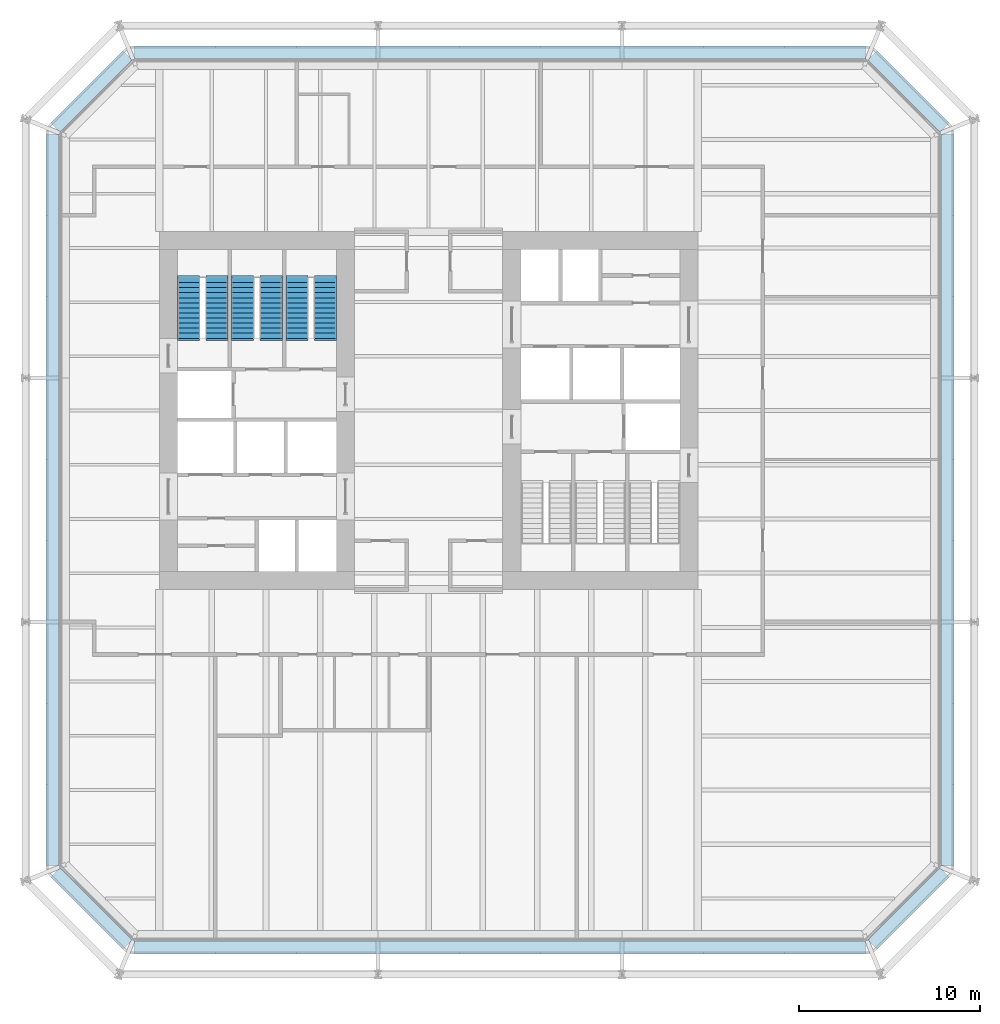
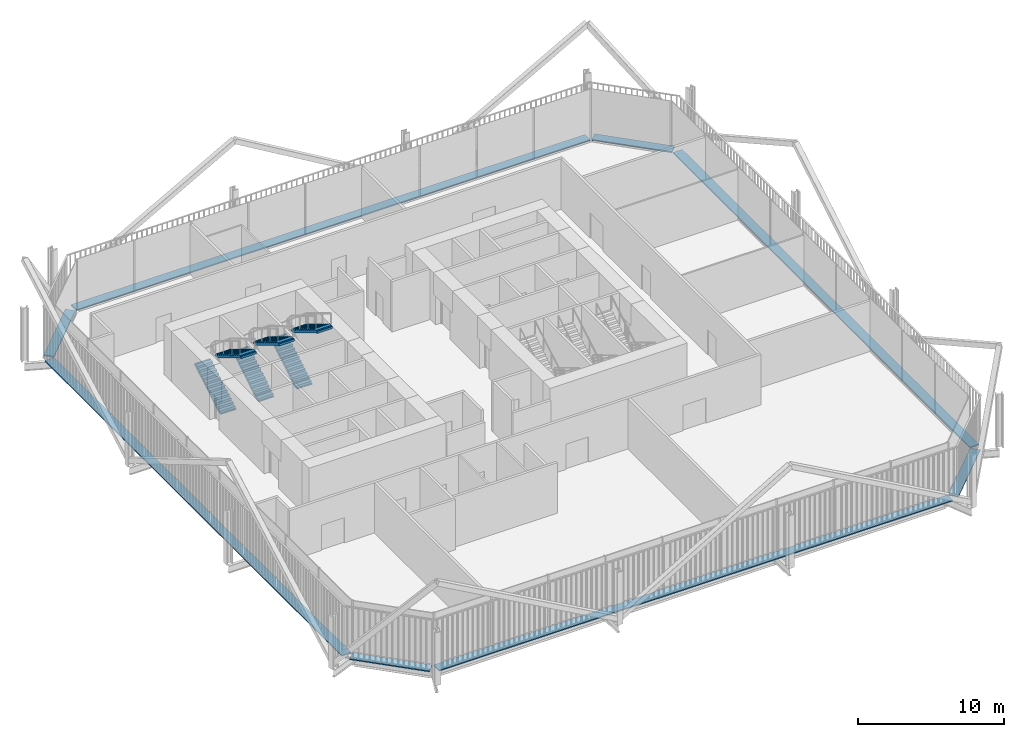
# One storey, part 20 of 21: 8 discrete accessories, 6 stair flights, 3 elements without a shape of their own.
"""IFC4 building model written with IfcOpenShell, lengths in metres."""

from ifc_helpers import new_model, si_unit, direction, frame, origin, origin_2d, place, context, subcontext, project, spatial, polyline, rectangle, outline, extrude, material, type_object, element, aggregate, save


model = new_model("IFC4")

# Units and contexts
model_context = context("Model", 3, precision=1e-05, world=origin(), true_north=direction((0.0, 1.0)))
body_context = subcontext(model_context, "Body", "Model", "MODEL_VIEW")
ifc_project = project(units=[si_unit("LENGTHUNIT", "METRE"), si_unit("AREAUNIT", "SQUARE_METRE"), si_unit("VOLUMEUNIT", "CUBIC_METRE"), si_unit("PLANEANGLEUNIT", "RADIAN"), si_unit("MASSUNIT", "GRAM", prefix="KILO")], contexts=[model_context])

# Site, building, storey
site_placement = place(None, origin())
site = spatial("IfcSite", under=ifc_project, at=site_placement, CompositionType="ELEMENT")
building_placement = place(site_placement, origin())
building = spatial("IfcBuilding", under=site, at=building_placement, Name="Millrace Tower", CompositionType="ELEMENT")
storey_placement = place(building_placement, frame((0.0, 0.0, 95.199951171875)))
storey = spatial("IfcBuildingStorey", under=building, at=storey_placement, Name="L21", CompositionType="ELEMENT", Elevation=95.199951171875)

# Stair, stair flights
ifc_material_1 = material(Name="Concrete C35", Category="concrete")
stair_type = type_object("IfcStairType", Name="Exit stair", PredefinedType="HALF_TURN_STAIR", material=ifc_material_1)
placement = place(storey_placement, origin())
stair_1 = element("IfcStair", 1, at=placement, inside=storey, type_object=stair_type, Name="Stair 1 W L21", PredefinedType="HALF_TURN_STAIR")
ifc_material_2 = material(Name="Concrete C35", Category="concrete")
stair_flight_type = type_object("IfcStairFlightType", Name="Exit stair flight", PredefinedType="STRAIGHT", material=ifc_material_2)
stair_flight_1_placement = place(storey_placement, frame((-13.2900390625, 4.0, 0.0), z_axis=(0.0, 0.0, 1.0), x_axis=(0.0, 1.0, 0.0)))
stair_flight_1 = element("IfcStairFlight", 2, at=stair_flight_1_placement, type_object=stair_flight_type, Name="ST12 flight 1", NumberOfRisers=13, NumberOfTreads=12, PredefinedType="STRAIGHT", RiserHeight=0.169230769, TreadLength=0.28, context=body_context, shape_type="SweptSolid", body=[
    extrude(outline(polyline([(-0.1201171875, -0.0400390625), (-0.1201171875, 0.0), (0.0, 0.0), (0.0, 0.169189453125), (0.280029296875, 0.169189453125), (0.280029296875, 0.33837890625), (0.56005859375, 0.33837890625), (0.56005859375, 0.5078125), (0.840087890625, 0.5078125), (0.840087890625, 0.677001953125), (1.1201171875, 0.677001953125), (1.1201171875, 0.84619140625), (1.39990234375, 0.84619140625), (1.39990234375, 1.015380859375), (1.679931640625, 1.015380859375), (1.679931640625, 1.1845703125), (1.9599609375, 1.1845703125), (1.9599609375, 1.353759765625), (2.239990234375, 1.353759765625), (2.239990234375, 1.523193359375), (2.52001953125, 1.523193359375), (2.52001953125, 1.6923828125), (2.800048828125, 1.6923828125), (2.800048828125, 1.861572265625), (3.080078125, 1.861572265625), (3.080078125, 2.03076171875), (3.360107421875, 2.03076171875), (3.360107421875, 2.05078125), (3.47998046875, 2.05078125), (3.47998046875, 1.855712890625), (3.360107421875, 1.855712890625), (0.289794921875, 0.0), (0.289794921875, -0.0400390625), (-0.1201171875, -0.0400390625)])), frame((0.0, 0.60986328125, 0.0), z_axis=(0.0, -1.0, 0.0), x_axis=(1.0, 0.0, 0.0)), (0.0, 0.0, 1.0), 1.219970703125),
])
stair_flight_2_placement = place(storey_placement, frame((-11.7099609375, 7.360107421875, 2.199951171875), z_axis=(0.0, 0.0, 1.0), x_axis=(0.0, -1.0, 0.0)))
stair_flight_2 = element("IfcStairFlight", 3, at=stair_flight_2_placement, type_object=stair_flight_type, Name="ST12 flight 2", NumberOfRisers=13, NumberOfTreads=12, PredefinedType="STRAIGHT", RiserHeight=0.169230769, TreadLength=0.28, context=body_context, shape_type="SweptSolid", body=[
    extrude(outline(polyline([(-0.1201171875, -0.0400390625), (-0.1201171875, 0.0), (0.0, 0.0), (0.0, 0.169189453125), (0.280029296875, 0.169189453125), (0.280029296875, 0.33837890625), (0.56005859375, 0.33837890625), (0.56005859375, 0.5078125), (0.840087890625, 0.5078125), (0.840087890625, 0.677001953125), (1.1201171875, 0.677001953125), (1.1201171875, 0.84619140625), (1.39990234375, 0.84619140625), (1.39990234375, 1.015380859375), (1.679931640625, 1.015380859375), (1.679931640625, 1.1845703125), (1.9599609375, 1.1845703125), (1.9599609375, 1.353759765625), (2.239990234375, 1.353759765625), (2.239990234375, 1.523193359375), (2.52001953125, 1.523193359375), (2.52001953125, 1.6923828125), (2.800048828125, 1.6923828125), (2.800048828125, 1.861572265625), (3.080078125, 1.861572265625), (3.080078125, 2.03076171875), (3.360107421875, 2.03076171875), (3.360107421875, 2.05078125), (3.47998046875, 2.05078125), (3.47998046875, 1.855712890625), (3.360107421875, 1.855712890625), (0.289794921875, 0.0), (0.289794921875, -0.0400390625), (-0.1201171875, -0.0400390625)])), frame((0.0, 0.60986328125, 0.0), z_axis=(0.0, -1.0, 0.0), x_axis=(1.0, 0.0, 0.0)), (0.0, 0.0, 1.0), 1.219970703125),
])
aggregate(stair_1, [stair_flight_1, stair_flight_2])

stair_2 = element("IfcStair", 4, at=placement, inside=storey, type_object=stair_type, Name="Stair 2 W L21", PredefinedType="HALF_TURN_STAIR")
stair_flight_3_placement = place(storey_placement, frame((-10.2900390625, 4.0, 0.0), z_axis=(0.0, 0.0, 1.0), x_axis=(0.0, 1.0, 0.0)))
stair_flight_3 = element("IfcStairFlight", 5, at=stair_flight_3_placement, type_object=stair_flight_type, Name="ST12 flight 1", NumberOfRisers=13, NumberOfTreads=12, PredefinedType="STRAIGHT", RiserHeight=0.169230769, TreadLength=0.28, context=body_context, shape_type="SweptSolid", body=[
    extrude(outline(polyline([(-0.1201171875, -0.0400390625), (-0.1201171875, 0.0), (0.0, 0.0), (0.0, 0.169189453125), (0.280029296875, 0.169189453125), (0.280029296875, 0.33837890625), (0.56005859375, 0.33837890625), (0.56005859375, 0.5078125), (0.840087890625, 0.5078125), (0.840087890625, 0.677001953125), (1.1201171875, 0.677001953125), (1.1201171875, 0.84619140625), (1.39990234375, 0.84619140625), (1.39990234375, 1.015380859375), (1.679931640625, 1.015380859375), (1.679931640625, 1.1845703125), (1.9599609375, 1.1845703125), (1.9599609375, 1.353759765625), (2.239990234375, 1.353759765625), (2.239990234375, 1.523193359375), (2.52001953125, 1.523193359375), (2.52001953125, 1.6923828125), (2.800048828125, 1.6923828125), (2.800048828125, 1.861572265625), (3.080078125, 1.861572265625), (3.080078125, 2.03076171875), (3.360107421875, 2.03076171875), (3.360107421875, 2.05078125), (3.47998046875, 2.05078125), (3.47998046875, 1.855712890625), (3.360107421875, 1.855712890625), (0.289794921875, 0.0), (0.289794921875, -0.0400390625), (-0.1201171875, -0.0400390625)])), frame((0.0, 0.60986328125, 0.0), z_axis=(0.0, -1.0, 0.0), x_axis=(1.0, 0.0, 0.0)), (0.0, 0.0, 1.0), 1.219970703125),
])
stair_flight_4_placement = place(storey_placement, frame((-8.7099609375, 7.360107421875, 2.199951171875), z_axis=(0.0, 0.0, 1.0), x_axis=(0.0, -1.0, 0.0)))
stair_flight_4 = element("IfcStairFlight", 6, at=stair_flight_4_placement, type_object=stair_flight_type, Name="ST12 flight 2", NumberOfRisers=13, NumberOfTreads=12, PredefinedType="STRAIGHT", RiserHeight=0.169230769, TreadLength=0.28, context=body_context, shape_type="SweptSolid", body=[
    extrude(outline(polyline([(-0.1201171875, -0.0400390625), (-0.1201171875, 0.0), (0.0, 0.0), (0.0, 0.169189453125), (0.280029296875, 0.169189453125), (0.280029296875, 0.33837890625), (0.56005859375, 0.33837890625), (0.56005859375, 0.5078125), (0.840087890625, 0.5078125), (0.840087890625, 0.677001953125), (1.1201171875, 0.677001953125), (1.1201171875, 0.84619140625), (1.39990234375, 0.84619140625), (1.39990234375, 1.015380859375), (1.679931640625, 1.015380859375), (1.679931640625, 1.1845703125), (1.9599609375, 1.1845703125), (1.9599609375, 1.353759765625), (2.239990234375, 1.353759765625), (2.239990234375, 1.523193359375), (2.52001953125, 1.523193359375), (2.52001953125, 1.6923828125), (2.800048828125, 1.6923828125), (2.800048828125, 1.861572265625), (3.080078125, 1.861572265625), (3.080078125, 2.03076171875), (3.360107421875, 2.03076171875), (3.360107421875, 2.05078125), (3.47998046875, 2.05078125), (3.47998046875, 1.855712890625), (3.360107421875, 1.855712890625), (0.289794921875, 0.0), (0.289794921875, -0.0400390625), (-0.1201171875, -0.0400390625)])), frame((0.0, 0.60986328125, 0.0), z_axis=(0.0, -1.0, 0.0), x_axis=(1.0, 0.0, 0.0)), (0.0, 0.0, 1.0), 1.219970703125),
])
aggregate(stair_2, [stair_flight_3, stair_flight_4])

stair_3 = element("IfcStair", 7, at=placement, inside=storey, type_object=stair_type, Name="Stair 3 W L21", PredefinedType="HALF_TURN_STAIR")
stair_flight_5_placement = place(storey_placement, frame((-7.2900390625, 4.0, 0.0), z_axis=(0.0, 0.0, 1.0), x_axis=(0.0, 1.0, 0.0)))
stair_flight_5 = element("IfcStairFlight", 8, at=stair_flight_5_placement, type_object=stair_flight_type, Name="ST12 flight 1", NumberOfRisers=13, NumberOfTreads=12, PredefinedType="STRAIGHT", RiserHeight=0.169230769, TreadLength=0.28, context=body_context, shape_type="SweptSolid", body=[
    extrude(outline(polyline([(-0.1201171875, -0.0400390625), (-0.1201171875, 0.0), (0.0, 0.0), (0.0, 0.169189453125), (0.280029296875, 0.169189453125), (0.280029296875, 0.33837890625), (0.56005859375, 0.33837890625), (0.56005859375, 0.5078125), (0.840087890625, 0.5078125), (0.840087890625, 0.677001953125), (1.1201171875, 0.677001953125), (1.1201171875, 0.84619140625), (1.39990234375, 0.84619140625), (1.39990234375, 1.015380859375), (1.679931640625, 1.015380859375), (1.679931640625, 1.1845703125), (1.9599609375, 1.1845703125), (1.9599609375, 1.353759765625), (2.239990234375, 1.353759765625), (2.239990234375, 1.523193359375), (2.52001953125, 1.523193359375), (2.52001953125, 1.6923828125), (2.800048828125, 1.6923828125), (2.800048828125, 1.861572265625), (3.080078125, 1.861572265625), (3.080078125, 2.03076171875), (3.360107421875, 2.03076171875), (3.360107421875, 2.05078125), (3.47998046875, 2.05078125), (3.47998046875, 1.855712890625), (3.360107421875, 1.855712890625), (0.289794921875, 0.0), (0.289794921875, -0.0400390625), (-0.1201171875, -0.0400390625)])), frame((0.0, 0.60986328125, 0.0), z_axis=(0.0, -1.0, 0.0), x_axis=(1.0, 0.0, 0.0)), (0.0, 0.0, 1.0), 1.219970703125),
])
stair_flight_6_placement = place(storey_placement, frame((-5.7099609375, 7.360107421875, 2.199951171875), z_axis=(0.0, 0.0, 1.0), x_axis=(0.0, -1.0, 0.0)))
stair_flight_6 = element("IfcStairFlight", 9, at=stair_flight_6_placement, type_object=stair_flight_type, Name="ST12 flight 2", NumberOfRisers=13, NumberOfTreads=12, PredefinedType="STRAIGHT", RiserHeight=0.169230769, TreadLength=0.28, context=body_context, shape_type="SweptSolid", body=[
    extrude(outline(polyline([(-0.1201171875, -0.0400390625), (-0.1201171875, 0.0), (0.0, 0.0), (0.0, 0.169189453125), (0.280029296875, 0.169189453125), (0.280029296875, 0.33837890625), (0.56005859375, 0.33837890625), (0.56005859375, 0.5078125), (0.840087890625, 0.5078125), (0.840087890625, 0.677001953125), (1.1201171875, 0.677001953125), (1.1201171875, 0.84619140625), (1.39990234375, 0.84619140625), (1.39990234375, 1.015380859375), (1.679931640625, 1.015380859375), (1.679931640625, 1.1845703125), (1.9599609375, 1.1845703125), (1.9599609375, 1.353759765625), (2.239990234375, 1.353759765625), (2.239990234375, 1.523193359375), (2.52001953125, 1.523193359375), (2.52001953125, 1.6923828125), (2.800048828125, 1.6923828125), (2.800048828125, 1.861572265625), (3.080078125, 1.861572265625), (3.080078125, 2.03076171875), (3.360107421875, 2.03076171875), (3.360107421875, 2.05078125), (3.47998046875, 2.05078125), (3.47998046875, 1.855712890625), (3.360107421875, 1.855712890625), (0.289794921875, 0.0), (0.289794921875, -0.0400390625), (-0.1201171875, -0.0400390625)])), frame((0.0, 0.60986328125, 0.0), z_axis=(0.0, -1.0, 0.0), x_axis=(1.0, 0.0, 0.0)), (0.0, 0.0, 1.0), 1.219970703125),
])
aggregate(stair_3, [stair_flight_5, stair_flight_6])

# Discrete accessories
ifc_material_3 = material(Name="Stainless steel ASTM A240 type 316", Category="steel")
discrete_accessory_type = type_object("IfcDiscreteAccessoryType", Name="Thermally broken screen support rail", PredefinedType="BRACKET", material=ifc_material_3)
discrete_accessory_1_placement = place(storey_placement, frame((-18.66064453125, -27.560546875, 0.0), z_axis=(0.0, 0.0, 1.0), x_axis=(0.707106781187, -0.707106781187, 0.0)))
element("IfcDiscreteAccessory", 10, at=discrete_accessory_1_placement, inside=storey, type_object=discrete_accessory_type, Name="Thermally broken screen support rail B-F01 L21 1", PredefinedType="BRACKET", context=body_context, shape_type="SweptSolid", body=[
    extrude(rectangle(XDim=5.65673828125, YDim=0.719970703125, at=origin_2d()), origin(), (0.0, 0.0, 1.0), 0.10009765625),
])
discrete_accessory_2_placement = place(storey_placement, frame((3.949951171875, -29.7099609375, 0.0), z_axis=(0.0, 0.0, 1.0), x_axis=(1.0, 0.0, 0.0)))
element("IfcDiscreteAccessory", 11, at=discrete_accessory_2_placement, inside=storey, type_object=discrete_accessory_type, Name="Thermally broken screen support rail B-F02 L21 1", PredefinedType="BRACKET", context=body_context, shape_type="SweptSolid", body=[
    extrude(rectangle(XDim=40.5, YDim=0.719970703125, at=origin_2d()), origin(), (0.0, 0.0, 1.0), 0.10009765625),
])
discrete_accessory_3_placement = place(storey_placement, frame((26.560546875, -27.560546875, 0.0), z_axis=(0.0, 0.0, 1.0), x_axis=(0.707106781187, 0.707106781187, 0.0)))
element("IfcDiscreteAccessory", 12, at=discrete_accessory_3_placement, inside=storey, type_object=discrete_accessory_type, Name="Thermally broken screen support rail B-F03 L21 1", PredefinedType="BRACKET", context=body_context, shape_type="SweptSolid", body=[
    extrude(rectangle(XDim=5.65673828125, YDim=0.719970703125, at=origin_2d()), origin(), (0.0, 0.0, 1.0), 0.10009765625),
])
discrete_accessory_4_placement = place(storey_placement, frame((28.7099609375, -4.949951171875, 0.0), z_axis=(0.0, 0.0, 1.0), x_axis=(0.0, 1.0, 0.0)))
element("IfcDiscreteAccessory", 13, at=discrete_accessory_4_placement, inside=storey, type_object=discrete_accessory_type, Name="Thermally broken screen support rail B-F04 L21 1", PredefinedType="BRACKET", context=body_context, shape_type="SweptSolid", body=[
    extrude(rectangle(XDim=40.5, YDim=0.719970703125, at=origin_2d()), origin(), (0.0, 0.0, 1.0), 0.10009765625),
])
discrete_accessory_5_placement = place(storey_placement, frame((26.560546875, 17.66064453125, 0.0), z_axis=(0.0, 0.0, 1.0), x_axis=(-0.707106781187, 0.707106781187, 0.0)))
element("IfcDiscreteAccessory", 14, at=discrete_accessory_5_placement, inside=storey, type_object=discrete_accessory_type, Name="Thermally broken screen support rail B-F05 L21 1", PredefinedType="BRACKET", context=body_context, shape_type="SweptSolid", body=[
    extrude(rectangle(XDim=5.65673828125, YDim=0.719970703125, at=origin_2d()), origin(), (0.0, 0.0, 1.0), 0.10009765625),
])
discrete_accessory_6_placement = place(storey_placement, frame((3.949951171875, 19.81005859375, 0.0), z_axis=(0.0, 0.0, 1.0), x_axis=(-1.0, 0.0, 0.0)))
element("IfcDiscreteAccessory", 15, at=discrete_accessory_6_placement, inside=storey, type_object=discrete_accessory_type, Name="Thermally broken screen support rail B-F06 L21 1", PredefinedType="BRACKET", context=body_context, shape_type="SweptSolid", body=[
    extrude(rectangle(XDim=40.5, YDim=0.719970703125, at=origin_2d()), origin(), (0.0, 0.0, 1.0), 0.10009765625),
])
discrete_accessory_7_placement = place(storey_placement, frame((-18.66064453125, 17.66064453125, 0.0), z_axis=(0.0, 0.0, 1.0), x_axis=(-0.707106781187, -0.707106781187, 0.0)))
element("IfcDiscreteAccessory", 16, at=discrete_accessory_7_placement, inside=storey, type_object=discrete_accessory_type, Name="Thermally broken screen support rail B-F07 L21 1", PredefinedType="BRACKET", context=body_context, shape_type="SweptSolid", body=[
    extrude(rectangle(XDim=5.65673828125, YDim=0.719970703125, at=origin_2d()), origin(), (0.0, 0.0, 1.0), 0.10009765625),
])
discrete_accessory_8_placement = place(storey_placement, frame((-20.81005859375, -4.949951171875, 0.0), z_axis=(0.0, 0.0, 1.0), x_axis=(0.0, -1.0, 0.0)))
element("IfcDiscreteAccessory", 17, at=discrete_accessory_8_placement, inside=storey, type_object=discrete_accessory_type, Name="Thermally broken screen support rail B-F08 L21 1", PredefinedType="BRACKET", context=body_context, shape_type="SweptSolid", body=[
    extrude(rectangle(XDim=40.5, YDim=0.719970703125, at=origin_2d()), origin(), (0.0, 0.0, 1.0), 0.10009765625),
])

save(model, "model.ifc")
